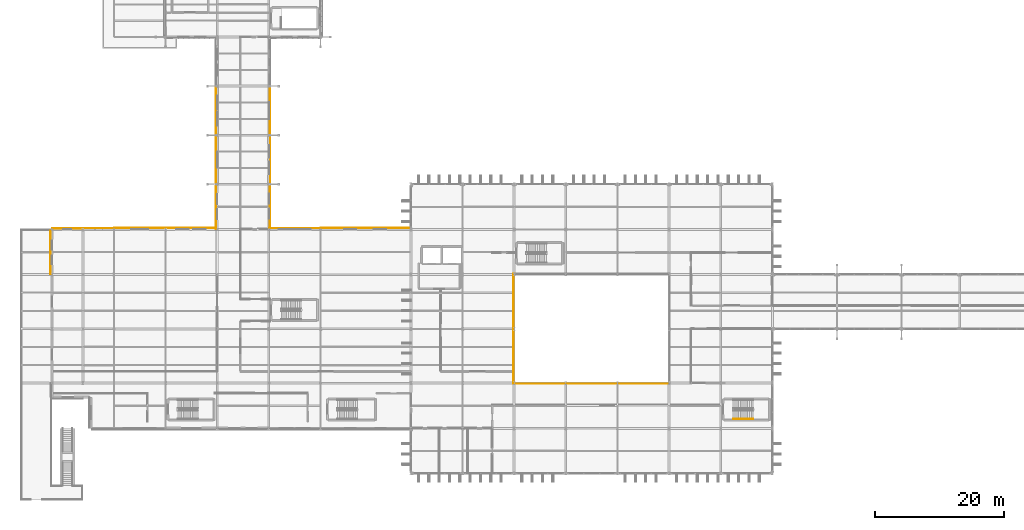
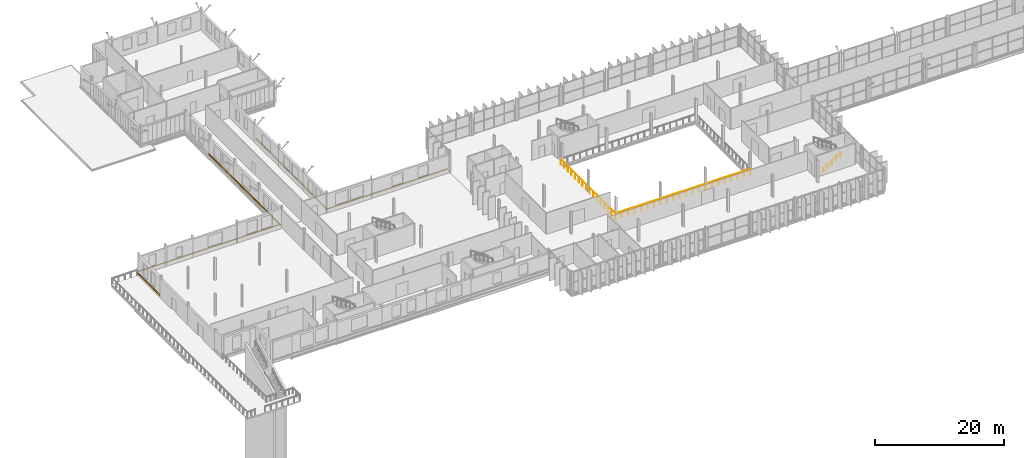
# One storey, part 94 of 101: 13 coverings, 3 railings.
"""IFC4 building model written with IfcOpenShell, lengths in metres."""

from ifc_helpers import new_model, si_unit, direction, frame, origin, origin_2d, place, context, subcontext, project, spatial, rectangle, circle, extrude, material, layer, layer_set, type_object, element, save


model = new_model("IFC4")

# Units and contexts
model_context = context("Model", 3, precision=1e-05, world=origin(), true_north=direction((0.0, 1.0)))
body_context = subcontext(model_context, "Body", "Model", "MODEL_VIEW")
ifc_project = project(units=[si_unit("LENGTHUNIT", "METRE"), si_unit("AREAUNIT", "SQUARE_METRE"), si_unit("VOLUMEUNIT", "CUBIC_METRE"), si_unit("PLANEANGLEUNIT", "RADIAN"), si_unit("MASSUNIT", "GRAM", prefix="KILO")], contexts=[model_context])

# Site, building, storey
site_placement = place(None, origin())
site = spatial("IfcSite", under=ifc_project, at=site_placement, CompositionType="ELEMENT")
building_placement = place(site_placement, origin())
building = spatial("IfcBuilding", under=site, at=building_placement, Name="Vekula Escarpment Museum", CompositionType="ELEMENT")
storey_placement = place(building_placement, frame((0.0, 0.0, 18.0)))
storey = spatial("IfcBuildingStorey", under=building, at=storey_placement, Name="L04", CompositionType="ELEMENT", Elevation=18.0)

# Coverings
ifc_material_1 = material(Name="Polychrome limestone almasik string-course band", Category="masonry")
ifc_layer = layer(ifc_material_1, 0.06005859375)
ifc_layer_set = layer_set([ifc_layer], Name="Polychrome limestone almasik string-course band")
covering_type = type_object("IfcCoveringType", Name="COV-ALM-BAND", PredefinedType="CLADDING", material=ifc_layer_set)
covering_1_placement = place(storey_placement, frame((62.910400390625, 83.60107421875, 0.41015625), z_axis=(0.0, 0.0, 1.0), x_axis=(1.0, 0.0, 0.0)))
element("IfcCovering", 1, at=covering_1_placement, inside=storey, type_object=covering_type, Name="Almasik Stone String Course L04-0604", PredefinedType="CLADDING", context=body_context, shape_type="SweptSolid", body=[
    extrude(rectangle(XDim=13.700927734375, YDim=0.06005859375, at=origin_2d()), origin(), (0.0, 0.0, 1.0), 0.219970703125),
])
covering_2_placement = place(storey_placement, frame((52.0, 83.5859375, 0.41015625), z_axis=(0.0, 0.0, 1.0), x_axis=(1.0, 0.0, 0.0)))
element("IfcCovering", 2, at=covering_2_placement, inside=storey, type_object=covering_type, Name="Almasik Stone String Course L04-0605", PredefinedType="CLADDING", context=body_context, shape_type="SweptSolid", body=[
    extrude(rectangle(XDim=7.8798828125, YDim=0.06005859375, at=origin_2d()), origin(), (0.0, 0.0, 1.0), 0.219970703125),
])
covering_3_placement = place(storey_placement, frame((48.176025390625, 86.98193359375, 0.41015625), z_axis=(0.0, 0.0, 1.0), x_axis=(0.0, 1.0, 0.0)))
element("IfcCovering", 3, at=covering_3_placement, inside=storey, type_object=covering_type, Name="Almasik Stone String Course L04-0606", PredefinedType="CLADDING", context=body_context, shape_type="SweptSolid", body=[
    extrude(rectangle(XDim=6.716064453125, YDim=0.06005859375, at=origin_2d()), origin(), (0.0, 0.0, 1.0), 0.219970703125),
])
for number, where, z_axis, x_axis, name in (
    (4, (48.216064453125, 94.199951171875, 0.41015625), (0.0, 0.0, 1.0), (0.0, 1.0, 0.0), "Almasik Stone String Course L04-0607"),
    (5, (48.200927734375, 101.800048828125, 0.41015625), (0.0, 0.0, 1.0), (0.0, 1.0, 0.0), "Almasik Stone String Course L04-0608"),
    (6, (39.799072265625, 101.800048828125, 0.41015625), (0.0, 0.0, 1.0), (0.0, 1.0, 0.0), "Almasik Stone String Course L04-0624"),
    (7, (39.81396484375, 94.199951171875, 0.41015625), (0.0, 0.0, 1.0), (0.0, 1.0, 0.0), "Almasik Stone String Course L04-0625"),
):
    element("IfcCovering", number, at=place(storey_placement, frame(where, z_axis=z_axis, x_axis=x_axis)), inside=storey, type_object=covering_type, Name=name, PredefinedType="CLADDING", context=body_context, shape_type="SweptSolid", body=[
        extrude(rectangle(XDim=7.47998046875, YDim=0.06005859375, at=origin_2d()), origin(), (0.0, 0.0, 1.0), 0.219970703125),
    ])
covering_4_placement = place(storey_placement, frame((39.823974609375, 86.89990234375, 0.41015625), z_axis=(0.0, 0.0, 1.0), x_axis=(0.0, 1.0, 0.0)))
element("IfcCovering", 8, at=covering_4_placement, inside=storey, type_object=covering_type, Name="Almasik Stone String Course L04-0626", PredefinedType="CLADDING", context=body_context, shape_type="SweptSolid", body=[
    extrude(rectangle(XDim=6.8798828125, YDim=0.06005859375, at=origin_2d()), origin(), (0.0, 0.0, 1.0), 0.219970703125),
])
covering_5_placement = place(storey_placement, frame((35.923095703125, 83.615966796875, 0.41015625), z_axis=(0.0, 0.0, 1.0), x_axis=(1.0, 0.0, 0.0)))
element("IfcCovering", 9, at=covering_5_placement, inside=storey, type_object=covering_type, Name="Almasik Stone String Course L04-0627", PredefinedType="CLADDING", context=body_context, shape_type="SweptSolid", body=[
    extrude(rectangle(XDim=7.72607421875, YDim=0.06005859375, at=origin_2d()), origin(), (0.0, 0.0, 1.0), 0.219970703125),
])
covering_6_placement = place(storey_placement, frame((28.0, 83.60107421875, 0.41015625), z_axis=(0.0, 0.0, 1.0), x_axis=(1.0, 0.0, 0.0)))
element("IfcCovering", 10, at=covering_6_placement, inside=storey, type_object=covering_type, Name="Almasik Stone String Course L04-0628", PredefinedType="CLADDING", context=body_context, shape_type="SweptSolid", body=[
    extrude(rectangle(XDim=7.8798828125, YDim=0.06005859375, at=origin_2d()), origin(), (0.0, 0.0, 1.0), 0.219970703125),
])
for number, where, z_axis, x_axis, name in (
    (11, (21.60009765625, 83.5859375, 0.41015625), (0.0, 0.0, 1.0), (1.0, 0.0, 0.0), "Almasik Stone String Course L04-0629"),
    (12, (16.800048828125, 83.575927734375, 0.41015625), (0.0, 0.0, 1.0), (1.0, 0.0, 0.0), "Almasik Stone String Course L04-0630"),
):
    element("IfcCovering", number, at=place(storey_placement, frame(where, z_axis=z_axis, x_axis=x_axis)), inside=storey, type_object=covering_type, Name=name, PredefinedType="CLADDING", context=body_context, shape_type="SweptSolid", body=[
        extrude(rectangle(XDim=4.679931640625, YDim=0.06005859375, at=origin_2d()), origin(), (0.0, 0.0, 1.0), 0.219970703125),
    ])
covering_7_placement = place(storey_placement, frame((14.18408203125, 79.822998046875, 0.41015625), z_axis=(0.0, 0.0, 1.0), x_axis=(0.0, 1.0, 0.0)))
element("IfcCovering", 13, at=covering_7_placement, inside=storey, type_object=covering_type, Name="Almasik Stone String Course L04-0631", PredefinedType="CLADDING", context=body_context, shape_type="SweptSolid", body=[
    extrude(rectangle(XDim=6.72607421875, YDim=0.06005859375, at=origin_2d()), origin(), (0.0, 0.0, 1.0), 0.219970703125),
])

# Railings
ifc_material_2 = material(Name="Bronze-coated Steel S355 balustrade", Category="steel")
railing_type_1 = type_object("IfcRailingType", Name="RL-ATR-BAL", PredefinedType="BALUSTRADE", material=ifc_material_2)
railing_1_placement = place(storey_placement, frame((85.89990234375, 59.5, 0.0)))
element("IfcRailing", 14, at=railing_1_placement, inside=storey, type_object=railing_type_1, Name="Central Atrium Balustrade L04 S", PredefinedType="BALUSTRADE", context=body_context, shape_type="SweptSolid", body=[
    extrude(circle(Radius=0.02392578125, at=origin_2d()), frame((0.0, 0.0, 1.076171875), z_axis=(1.0, 0.0, 0.0), x_axis=(0.0, 1.0, 0.0)), (0.0, 0.0, 1.0), 24.14013671875),
    extrude(circle(Radius=0.02099609375, at=origin_2d()), origin(), (0.0, 0.0, 1.0), 1.052001953125),
    extrude(circle(Radius=0.02099609375, at=origin_2d()), frame((1.1494140625, 0.0, 0.0)), (0.0, 0.0, 1.0), 1.052001953125),
    extrude(circle(Radius=0.02099609375, at=origin_2d()), frame((2.299072265625, 0.0, 0.0)), (0.0, 0.0, 1.0), 1.052001953125),
    extrude(circle(Radius=0.02099609375, at=origin_2d()), frame((3.448486328125, 0.0, 0.0)), (0.0, 0.0, 1.0), 1.052001953125),
    extrude(circle(Radius=0.02099609375, at=origin_2d()), frame((4.59814453125, 0.0, 0.0)), (0.0, 0.0, 1.0), 1.052001953125),
    extrude(circle(Radius=0.02099609375, at=origin_2d()), frame((5.74755859375, 0.0, 0.0)), (0.0, 0.0, 1.0), 1.052001953125),
    extrude(circle(Radius=0.02099609375, at=origin_2d()), frame((6.897216796875, 0.0, 0.0)), (0.0, 0.0, 1.0), 1.052001953125),
    extrude(circle(Radius=0.02099609375, at=origin_2d()), frame((8.046630859375, 0.0, 0.0)), (0.0, 0.0, 1.0), 1.052001953125),
    extrude(circle(Radius=0.02099609375, at=origin_2d()), frame((9.1962890625, 0.0, 0.0)), (0.0, 0.0, 1.0), 1.052001953125),
    extrude(circle(Radius=0.02099609375, at=origin_2d()), frame((10.345703125, 0.0, 0.0)), (0.0, 0.0, 1.0), 1.052001953125),
    extrude(circle(Radius=0.02099609375, at=origin_2d()), frame((11.495361328125, 0.0, 0.0)), (0.0, 0.0, 1.0), 1.052001953125),
    extrude(circle(Radius=0.02099609375, at=origin_2d()), frame((12.644775390625, 0.0, 0.0)), (0.0, 0.0, 1.0), 1.052001953125),
    extrude(circle(Radius=0.02099609375, at=origin_2d()), frame((13.79443359375, 0.0, 0.0)), (0.0, 0.0, 1.0), 1.052001953125),
    extrude(circle(Radius=0.02099609375, at=origin_2d()), frame((14.94384765625, 0.0, 0.0)), (0.0, 0.0, 1.0), 1.052001953125),
    extrude(circle(Radius=0.02099609375, at=origin_2d()), frame((16.093505859375, 0.0, 0.0)), (0.0, 0.0, 1.0), 1.052001953125),
    extrude(circle(Radius=0.02099609375, at=origin_2d()), frame((17.242919921875, 0.0, 0.0)), (0.0, 0.0, 1.0), 1.052001953125),
    extrude(circle(Radius=0.02099609375, at=origin_2d()), frame((18.392578125, 0.0, 0.0)), (0.0, 0.0, 1.0), 1.052001953125),
    extrude(circle(Radius=0.02099609375, at=origin_2d()), frame((19.5419921875, 0.0, 0.0)), (0.0, 0.0, 1.0), 1.052001953125),
    extrude(circle(Radius=0.02099609375, at=origin_2d()), frame((20.691650390625, 0.0, 0.0)), (0.0, 0.0, 1.0), 1.052001953125),
    extrude(circle(Radius=0.02099609375, at=origin_2d()), frame((21.841064453125, 0.0, 0.0)), (0.0, 0.0, 1.0), 1.052001953125),
    extrude(circle(Radius=0.02099609375, at=origin_2d()), frame((22.99072265625, 0.0, 0.0)), (0.0, 0.0, 1.0), 1.052001953125),
    extrude(circle(Radius=0.02099609375, at=origin_2d()), frame((24.14013671875, 0.0, 0.0)), (0.0, 0.0, 1.0), 1.052001953125),
])
railing_2_placement = place(storey_placement, frame((85.89990234375, 76.5, 0.0)))
element("IfcRailing", 15, at=railing_2_placement, inside=storey, type_object=railing_type_1, Name="Central Atrium Balustrade L04 W", PredefinedType="BALUSTRADE", context=body_context, shape_type="SweptSolid", body=[
    extrude(circle(Radius=0.02392578125, at=origin_2d()), frame((0.0, 0.0, 1.076171875), z_axis=(0.0, -1.0, 0.0), x_axis=(1.0, 0.0, 0.0)), (0.0, 0.0, 1.0), 16.93994140625),
    extrude(circle(Radius=0.02099609375, at=origin_2d()), origin(), (0.0, 0.0, 1.0), 1.052001953125),
    extrude(circle(Radius=0.02099609375, at=origin_2d()), frame((0.0, -1.12939453125, 0.0)), (0.0, 0.0, 1.0), 1.052001953125),
    extrude(circle(Radius=0.02099609375, at=origin_2d()), frame((0.0, -2.258544921875, 0.0)), (0.0, 0.0, 1.0), 1.052001953125),
    extrude(circle(Radius=0.02099609375, at=origin_2d()), frame((0.0, -3.387939453125, 0.0)), (0.0, 0.0, 1.0), 1.052001953125),
    extrude(circle(Radius=0.02099609375, at=origin_2d()), frame((0.0, -4.517333984375, 0.0)), (0.0, 0.0, 1.0), 1.052001953125),
    extrude(circle(Radius=0.02099609375, at=origin_2d()), frame((0.0, -5.646728515625, 0.0)), (0.0, 0.0, 1.0), 1.052001953125),
    extrude(circle(Radius=0.02099609375, at=origin_2d()), frame((0.0, -6.77587890625, 0.0)), (0.0, 0.0, 1.0), 1.052001953125),
    extrude(circle(Radius=0.02099609375, at=origin_2d()), frame((0.0, -7.9052734375, 0.0)), (0.0, 0.0, 1.0), 1.052001953125),
    extrude(circle(Radius=0.02099609375, at=origin_2d()), frame((0.0, -9.03466796875, 0.0)), (0.0, 0.0, 1.0), 1.052001953125),
    extrude(circle(Radius=0.02099609375, at=origin_2d()), frame((0.0, -10.1640625, 0.0)), (0.0, 0.0, 1.0), 1.052001953125),
    extrude(circle(Radius=0.02099609375, at=origin_2d()), frame((0.0, -11.293212890625, 0.0)), (0.0, 0.0, 1.0), 1.052001953125),
    extrude(circle(Radius=0.02099609375, at=origin_2d()), frame((0.0, -12.422607421875, 0.0)), (0.0, 0.0, 1.0), 1.052001953125),
    extrude(circle(Radius=0.02099609375, at=origin_2d()), frame((0.0, -13.552001953125, 0.0)), (0.0, 0.0, 1.0), 1.052001953125),
    extrude(circle(Radius=0.02099609375, at=origin_2d()), frame((0.0, -14.681396484375, 0.0)), (0.0, 0.0, 1.0), 1.052001953125),
    extrude(circle(Radius=0.02099609375, at=origin_2d()), frame((0.0, -15.810546875, 0.0)), (0.0, 0.0, 1.0), 1.052001953125),
    extrude(circle(Radius=0.02099609375, at=origin_2d()), frame((0.0, -16.93994140625, 0.0)), (0.0, 0.0, 1.0), 1.052001953125),
])
ifc_material_3 = material(Name="Brushed stainless steel handrail", Category="steel")
railing_type_2 = type_object("IfcRailingType", Name="RL-STAIR-HAND", PredefinedType="HANDRAIL", material=ifc_material_3)
railing_3_placement = place(storey_placement, frame((119.919921875, 54.050048828125, 0.175048828125)))
element("IfcRailing", 16, at=railing_3_placement, inside=storey, type_object=railing_type_2, Name="L04 ST-08 stair handrail 1", PredefinedType="HANDRAIL", context=body_context, shape_type="SweptSolid", body=[
    extrude(circle(Radius=0.02392578125, at=origin_2d()), frame((0.0, 0.0, 0.8759765625), z_axis=(0.847998304005, 0.0, 0.529998940003), x_axis=(0.0, 1.0, 0.0)), (0.0, 0.0, 1.0), 3.632080078125),
    extrude(circle(Radius=0.02099609375, at=origin_2d()), origin(), (0.0, 0.0, 1.0), 0.851806640625),
    extrude(circle(Radius=0.02099609375, at=origin_2d()), frame((0.77001953125, 0.0, 0.481201171875)), (0.0, 0.0, 1.0), 0.851806640625),
    extrude(circle(Radius=0.02099609375, at=origin_2d()), frame((1.5400390625, 0.0, 0.96240234375)), (0.0, 0.0, 1.0), 0.851806640625),
    extrude(circle(Radius=0.02099609375, at=origin_2d()), frame((2.31005859375, 0.0, 1.44384765625)), (0.0, 0.0, 1.0), 0.851806640625),
    extrude(circle(Radius=0.02099609375, at=origin_2d()), frame((3.080078125, 0.0, 1.925048828125)), (0.0, 0.0, 1.0), 0.851806640625),
])

save(model, "model.ifc")
